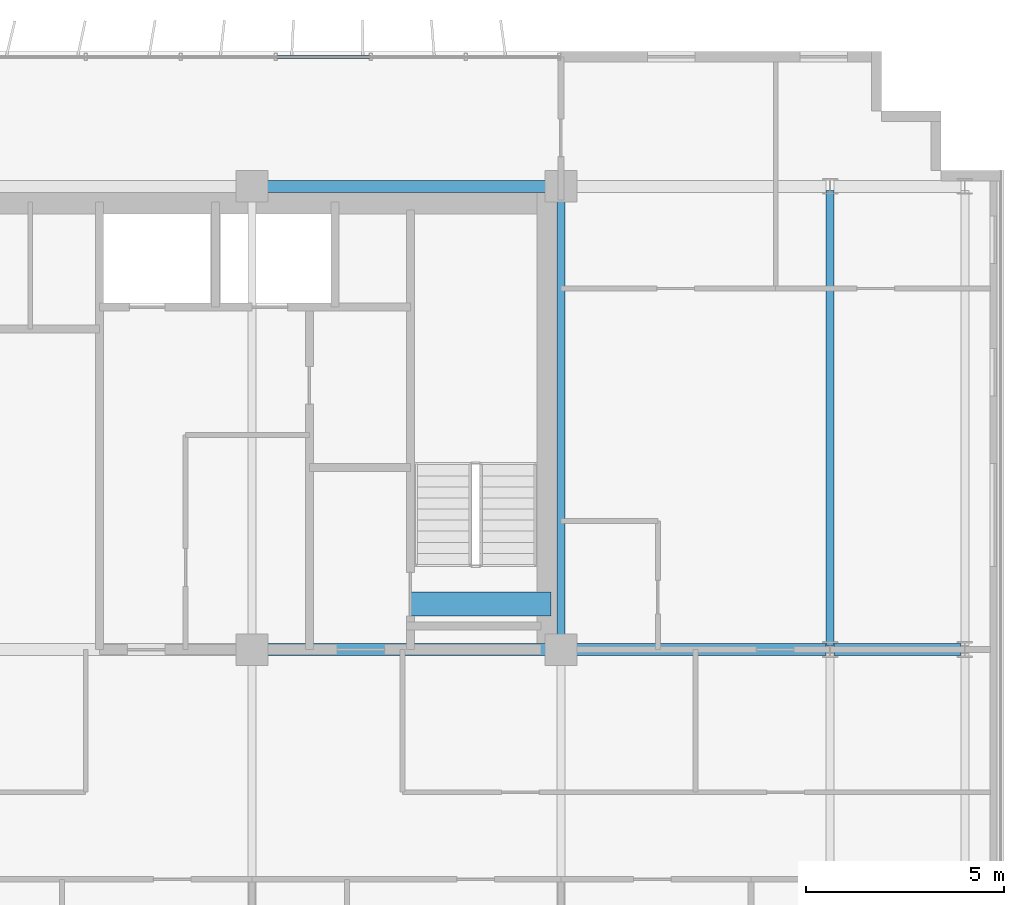
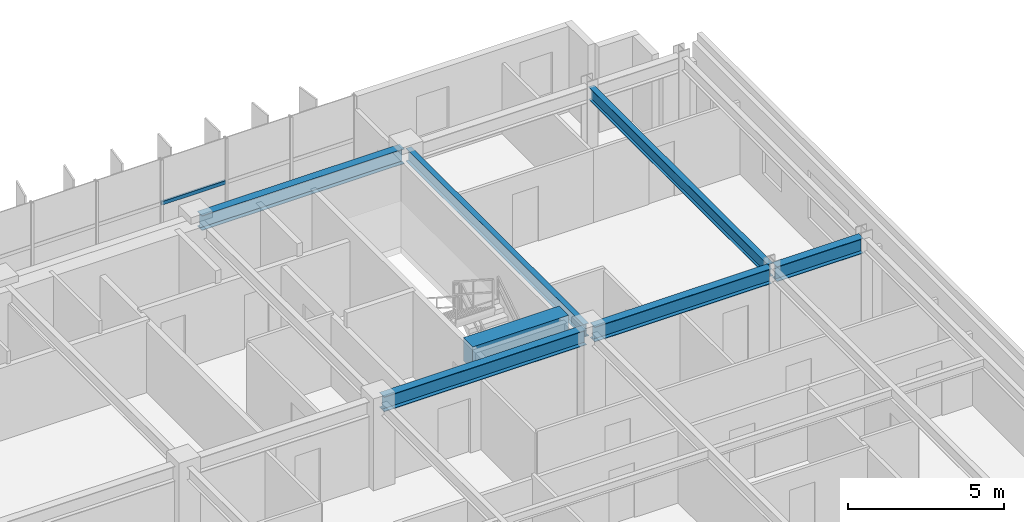
# One storey, part 10 of 22: 7 beams, 1 member, 1 element without a shape of its own.
"""IFC4 building model written with IfcOpenShell, lengths in metres."""

from ifc_helpers import new_model, si_unit, direction, frame, origin, origin_2d, place, context, subcontext, project, spatial, rectangle, hollow_rectangle, i_section, extrude, source, transform, mapped, material, material_profile, profile_set, type_object, element, aggregate, save


model = new_model("IFC4")

# Units and contexts
model_context = context("Model", 3, precision=1e-05, world=origin(), true_north=direction((0.0, 1.0)))
body_context = subcontext(model_context, "Body", "Model", "MODEL_VIEW")
ifc_project = project(units=[si_unit("LENGTHUNIT", "METRE"), si_unit("AREAUNIT", "SQUARE_METRE"), si_unit("VOLUMEUNIT", "CUBIC_METRE"), si_unit("PLANEANGLEUNIT", "RADIAN"), si_unit("MASSUNIT", "GRAM", prefix="KILO")], contexts=[model_context])

# Site, building, storey
site_placement = place(None, origin())
site = spatial("IfcSite", under=ifc_project, at=site_placement, CompositionType="ELEMENT")
building_placement = place(site_placement, origin())
building = spatial("IfcBuilding", under=site, at=building_placement, Name="Trelvane Seafront Commons", CompositionType="ELEMENT")
storey_placement = place(building_placement, frame((0.0, 0.0, 88.89990234375)))
storey = spatial("IfcBuildingStorey", under=building, at=storey_placement, Name="L22", CompositionType="ELEMENT", Elevation=88.89990234375)

# Beams
ifc_material_1 = material(Name="Concrete C60/75", Category="concrete")
ifc_material_profile_1 = material_profile(ifc_material_1, rectangle(XDim=0.60009765625, YDim=0.89990234375, at=origin_2d()), Name="RC-600x900")
ifc_profile_set_1 = profile_set([ifc_material_profile_1], Name="Concrete C60/75")
beam_type_1 = type_object("IfcBeamType", Name="STR-LNT-RC600x900", PredefinedType="LINTEL", material=ifc_profile_set_1)
shared_shape_1 = source(origin(), body_context, "Body", "SweptSolid", [
    extrude(rectangle(XDim=0.60009765625, YDim=0.89990234375, at=origin_2d()), origin(), (0.0, 0.0, 1.0), 3.550048828125),
])
beam_1_placement = place(storey_placement, frame((55.0, 34.550048828125, 2.89013671875), z_axis=(1.0, 0.0, 0.0), x_axis=(0.0, 1.0, 0.0)))
element("IfcBeam", 1, at=beam_1_placement, inside=storey, type_object=beam_type_1, Name="L22 Core Coupling Lintel Beam CB-86", PredefinedType="LINTEL", context=body_context, shape_type="MappedRepresentation", body=[
    mapped(shared_shape_1, transform((0.0, 0.0, 0.0), x_axis=(1.0, 0.0, 0.0), y_axis=(0.0, 1.0, 0.0), z_axis=(0.0, 0.0, 1.0), scale=1.0)),
])
ifc_material_2 = material(Name="Steel SM355 (S355)", Category="steel")
ifc_material_profile_2 = material_profile(ifc_material_2, i_section(OverallWidth=0.300048828125, OverallDepth=0.587890625, WebThickness=0.011962890625, FlangeThickness=0.02001953125, at=origin_2d()), Name="H-588x300x12x20")
ifc_profile_set_2 = profile_set([ifc_material_profile_2], Name="Steel SM355 (S355)")
beam_type_2 = type_object("IfcBeamType", Name="STR-BM-H588", PredefinedType="BEAM", material=ifc_profile_set_2)
shared_shape_2 = source(origin(), body_context, "Body", "SweptSolid", [
    extrude(i_section(OverallWidth=0.300048828125, OverallDepth=0.587890625, WebThickness=0.011962890625, FlangeThickness=0.02001953125, at=origin_2d()), origin(), (0.0, 0.0, 1.0), 3.199951171875),
])
beam_2_placement = place(storey_placement, frame((65.699951171875, 33.39990234375, 3.046142578125), z_axis=(1.0, 0.0, 0.0), x_axis=(0.0, 1.0, 0.0)))
element("IfcBeam", 2, at=beam_2_placement, inside=storey, type_object=beam_type_2, Name="L22 Primary Girder G-27", PredefinedType="BEAM", context=body_context, shape_type="MappedRepresentation", body=[
    mapped(shared_shape_2, transform((0.0, 0.0, 0.0), x_axis=(1.0, 0.0, 0.0), y_axis=(0.0, 1.0, 0.0), z_axis=(0.0, 0.0, 1.0), scale=1.0)),
])
shared_shape_3 = source(origin(), body_context, "Body", "SweptSolid", [
    extrude(i_section(OverallWidth=0.300048828125, OverallDepth=0.587890625, WebThickness=0.011962890625, FlangeThickness=0.02001953125, at=origin_2d()), origin(), (0.0, 0.0, 1.0), 6.550048828125),
])
beam_3_placement = place(storey_placement, frame((58.949951171875, 33.39990234375, 3.046142578125), z_axis=(1.0, 0.0, 0.0), x_axis=(0.0, 1.0, 0.0)))
element("IfcBeam", 3, at=beam_3_placement, inside=storey, type_object=beam_type_2, Name="L22 Primary Girder G-26", PredefinedType="BEAM", context=body_context, shape_type="MappedRepresentation", body=[
    mapped(shared_shape_3, transform((0.0, 0.0, 0.0), x_axis=(1.0, 0.0, 0.0), y_axis=(0.0, 1.0, 0.0), z_axis=(0.0, 0.0, 1.0), scale=1.0)),
])
shared_shape_4 = source(origin(), body_context, "Body", "SweptSolid", [
    extrude(i_section(OverallWidth=0.300048828125, OverallDepth=0.587890625, WebThickness=0.011962890625, FlangeThickness=0.02001953125, at=origin_2d()), origin(), (0.0, 0.0, 1.0), 7.5),
])
for number, where, z_axis, x_axis, name in (
    (4, (51.14990234375, 33.39990234375, 3.046142578125), (1.0, 0.0, 0.0), (0.0, 1.0, 0.0), "L22 Primary Girder G-25"),
    (5, (51.14990234375, 45.10009765625, 3.046142578125), (1.0, 0.0, 0.0), (0.0, 1.0, 0.0), "L22 Primary Girder G-34"),
):
    element("IfcBeam", number, at=place(storey_placement, frame(where, z_axis=z_axis, x_axis=x_axis)), inside=storey, type_object=beam_type_2, Name=name, PredefinedType="BEAM", context=body_context, shape_type="MappedRepresentation", body=[
        mapped(shared_shape_4, transform((0.0, 0.0, 0.0), x_axis=(1.0, 0.0, 0.0), y_axis=(0.0, 1.0, 0.0), z_axis=(0.0, 0.0, 1.0), scale=1.0)),
    ])
ifc_material_profile_3 = material_profile(ifc_material_2, i_section(OverallWidth=0.199951171875, OverallDepth=0.5, WebThickness=0.010009765625, FlangeThickness=0.01611328125, at=origin_2d()), Name="H-500x200x10x16")
ifc_profile_set_3 = profile_set([ifc_material_profile_3], Name="Steel SM355 (S355)")
beam_type_3 = type_object("IfcBeamType", Name="STR-BM-H500", PredefinedType="BEAM", material=ifc_profile_set_3)
shared_shape_5 = source(origin(), body_context, "Body", "SweptSolid", [
    extrude(i_section(OverallWidth=0.199951171875, OverallDepth=0.5, WebThickness=0.010009765625, FlangeThickness=0.01611328125, at=origin_2d()), origin(), (0.0, 0.0, 1.0), 11.5),
])
beam_4_placement = place(storey_placement, frame((65.60009765625, 33.5, 3.090087890625), z_axis=(0.0, 1.0, 0.0), x_axis=(-1.0, 0.0, 0.0)))
element("IfcBeam", 6, at=beam_4_placement, inside=storey, type_object=beam_type_3, Name="L22 Primary Girder G-63", PredefinedType="BEAM", context=body_context, shape_type="MappedRepresentation", body=[
    mapped(shared_shape_5, transform((0.0, 0.0, 0.0), x_axis=(1.0, 0.0, 0.0), y_axis=(0.0, 1.0, 0.0), z_axis=(0.0, 0.0, 1.0), scale=1.0)),
])
shared_shape_6 = source(origin(), body_context, "Body", "SweptSolid", [
    extrude(i_section(OverallWidth=0.199951171875, OverallDepth=0.5, WebThickness=0.010009765625, FlangeThickness=0.01611328125, at=origin_2d()), origin(), (0.0, 0.0, 1.0), 11.39990234375),
])
beam_5_placement = place(storey_placement, frame((58.800048828125, 33.550048828125, 3.090087890625), z_axis=(0.0, 1.0, 0.0), x_axis=(-1.0, 0.0, 0.0)))
element("IfcBeam", 7, at=beam_5_placement, inside=storey, type_object=beam_type_3, Name="L22 Primary Girder G-60", PredefinedType="BEAM", context=body_context, shape_type="MappedRepresentation", body=[
    mapped(shared_shape_6, transform((0.0, 0.0, 0.0), x_axis=(1.0, 0.0, 0.0), y_axis=(0.0, 1.0, 0.0), z_axis=(0.0, 0.0, 1.0), scale=1.0)),
])

# Curtain wall, member
ifc_material_3 = material(Name="Anodised pale-silver aluminium", Category="aluminium")
curtain_wall_type = type_object("IfcCurtainWallType", Name="ARCH-CW4-SKYLOBBY", PredefinedType="NOTDEFINED", material=ifc_material_3)
curtain_wall_placement = place(storey_placement, origin())
curtain_wall = element("IfcCurtainWall", 8, at=curtain_wall_placement, inside=storey, type_object=curtain_wall_type, Name="CW-L22-0047", PredefinedType="NOTDEFINED")
ifc_material_profile_4 = material_profile(ifc_material_3, hollow_rectangle(XDim=0.074951171875, YDim=0.139892578125, WallThickness=0.00390625, at=origin_2d()), Name="TRAN-75x140x4")
ifc_profile_set_4 = profile_set([ifc_material_profile_4], Name="Anodised pale-silver aluminium")
member_type = type_object("IfcMemberType", Name="ARCH-CW-TRAN-140", PredefinedType="USERDEFINED", material=ifc_profile_set_4)
shared_shape_7 = source(origin(), body_context, "Body", "SweptSolid", [
    extrude(hollow_rectangle(XDim=0.074951171875, YDim=0.139892578125, WallThickness=0.00390625, at=origin_2d()), origin(), (0.0, 0.0, 1.0), 2.3759765625),
])
member_placement = place(storey_placement, frame((51.612060546875, 48.3701171875, 1.60302734375), z_axis=(1.0, 0.0, 0.0), x_axis=(0.0, 1.0, 0.0)))
member = element("IfcMember", 9, at=member_placement, type_object=member_type, Name="CW-L22-0047-T15", ObjectType="TRANSOM", PredefinedType="USERDEFINED", context=body_context, shape_type="MappedRepresentation", body=[
    mapped(shared_shape_7, transform((0.0, 0.0, 0.0), x_axis=(1.0, 0.0, 0.0), y_axis=(0.0, 1.0, 0.0), z_axis=(0.0, 0.0, 1.0), scale=1.0)),
])
aggregate(curtain_wall, [member])

save(model, "model.ifc")
